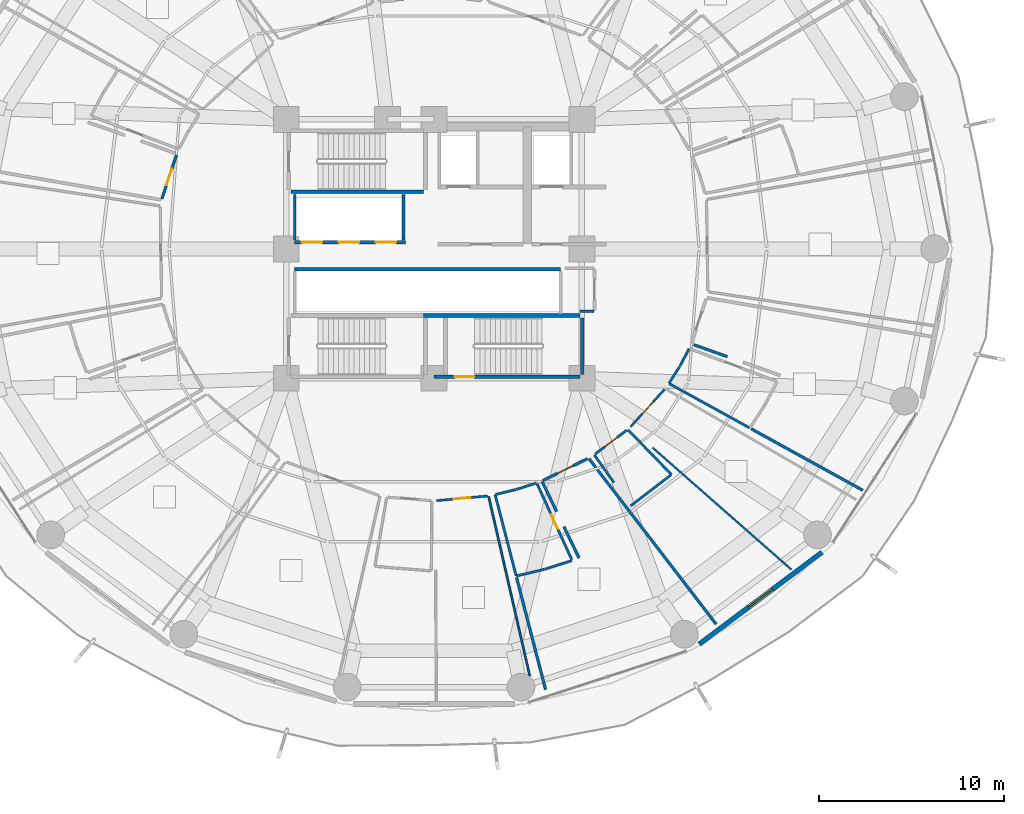
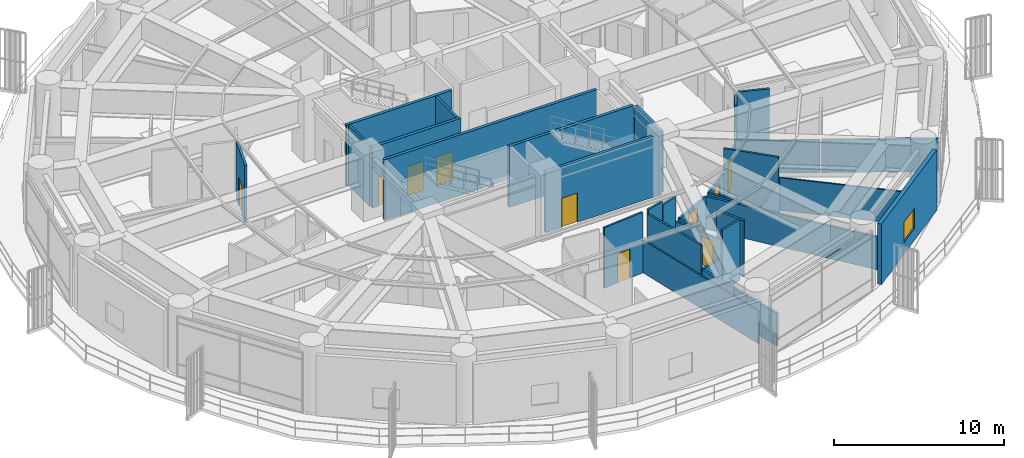
# One storey, part 22 of 31: 35 walls, 10 doors, 1 window, 11 openings.
"""IFC4 building model written with IfcOpenShell, lengths in metres."""

from ifc_helpers import new_model, si_unit, direction, frame, frame_2d, origin, place, context, subcontext, project, spatial, rectangle, extrude, material, layer, layer_set, type_object, element, fill, save


model = new_model("IFC4")

# Units and contexts
model_context = context("Model", 3, precision=1e-05, world=origin(), true_north=direction((0.0, 1.0)))
body_context = subcontext(model_context, "Body", "Model", "MODEL_VIEW")
ifc_project = project(units=[si_unit("LENGTHUNIT", "METRE"), si_unit("AREAUNIT", "SQUARE_METRE"), si_unit("VOLUMEUNIT", "CUBIC_METRE"), si_unit("PLANEANGLEUNIT", "RADIAN"), si_unit("MASSUNIT", "GRAM", prefix="KILO")], contexts=[model_context])

# Site, building, storey
site_placement = place(None, origin())
site = spatial("IfcSite", under=ifc_project, at=site_placement, CompositionType="ELEMENT")
building_placement = place(site_placement, origin())
building = spatial("IfcBuilding", under=site, at=building_placement, Name="Kelanora Arch Commons", CompositionType="ELEMENT")
storey_placement = place(building_placement, frame((0.0, 0.0, 67.5)))
storey = spatial("IfcBuildingStorey", under=building, at=storey_placement, Name="L17", CompositionType="ELEMENT", Elevation=67.5)

# Walls
ifc_material_1 = material(Name="Autoclaved aerated concrete blockwork with fire plaster", Category="masonry")
ifc_layer_1 = layer(ifc_material_1, 0.14990234375)
ifc_layer_set_1 = layer_set([ifc_layer_1], Name="Autoclaved aerated concrete blockwork with fire plaster")
wall_type_1 = type_object("IfcWallType", Name="W-COMP-150", PredefinedType="PARTITIONING", material=ifc_layer_set_1)
for number, where, z_axis, x_axis, name in (
    (1, (66.4599609375, 58.47998046875, 0.0), (0.0, 0.0, 1.0), (0.0, 1.0, 0.0), "Low-Rise Lift Bank West Wall L17"),
    (2, (72.340087890625, 58.47998046875, 0.0), (0.0, 0.0, 1.0), (0.0, 1.0, 0.0), "Low-Rise Lift Bank East Wall L17"),
):
    element("IfcWall", number, at=place(storey_placement, frame(where, z_axis=z_axis, x_axis=x_axis)), inside=storey, type_object=wall_type_1, Name=name, PredefinedType="PARTITIONING", context=body_context, shape_type="SweptSolid", body=[
        extrude(rectangle(XDim=2.4599609375, YDim=0.14990234375, at=frame_2d((1.22998046875, 0.0))), origin(), (0.0, 0.0, 1.0), 4.35009765625),
    ])

# Wall, opening, door
wall_1_placement = place(storey_placement, frame((60.062255859375, 63.0849609375, 0.0), z_axis=(0.0, 0.0, 1.0), x_axis=(-0.313977919329, -0.949430285052, 0.0)))
wall_1 = element("IfcWall", 3, at=wall_1_placement, inside=storey, type_object=wall_type_1, Name="Co-Living Studio L17-07 Entry Partition", PredefinedType="PARTITIONING", context=body_context, shape_type="SweptSolid", body=[
    extrude(rectangle(XDim=2.507568359375, YDim=0.14990234375, at=frame_2d((1.25390625, 0.0))), origin(), (0.0, 0.0, 1.0), 4.10498046875),
])
opening_1_placement = place(wall_1_placement, frame((0.779052734375, 0.0, 0.0)))
opening_1 = element("IfcOpeningElement", 4, at=opening_1_placement, cuts=wall_1, Name="Opening D-CLU1", PredefinedType="OPENING", context=body_context, shape_type="SweptSolid", body=[
    extrude(rectangle(XDim=0.949951171875, YDim=2.080078125, at=frame_2d((0.47509765625, 1.0400390625))), frame((0.0, 0.0849609375, 0.0), z_axis=(0.0, -1.0, 0.0), x_axis=(1.0, 0.0, 0.0)), (0.0, 0.0, 1.0), 0.169921875),
])
ifc_material_2 = material(Name="Solid-core acoustic timber cluster entry fire door", Category="wood")
door_type_1 = type_object("IfcDoorType", Name="D-CLU-95", OperationType="NOTDEFINED", PredefinedType="DOOR", material=ifc_material_2)
door_1_placement = place(opening_1_placement, origin())
door_1 = element("IfcDoor", 5, at=door_1_placement, inside=storey, type_object=door_type_1, Name="Co-Living Studio L17-07 Door", OperationType="SINGLE_SWING_RIGHT", OverallHeight=2.080078125, OverallWidth=0.949951171875, PredefinedType="DOOR", context=body_context, shape_type="SweptSolid", body=[
    extrude(rectangle(XDim=0.949951171875, YDim=2.080078125, at=frame_2d((0.47509765625, 1.0400390625))), frame((0.0, 0.02490234375, 0.0), z_axis=(0.0, -1.0, 0.0), x_axis=(1.0, 0.0, 0.0)), (0.0, 0.0, 1.0), 0.050048828125),
])
fill(opening_1, door_1)

wall_2_placement = place(storey_placement, frame((79.886962890625, 45.46435546875, 0.0), z_axis=(0.0, 0.0, 1.0), x_axis=(0.898361315254, 0.439257267733, 0.0)))
wall_2 = element("IfcWall", 6, at=wall_2_placement, inside=storey, type_object=wall_type_1, Name="Co-Living Studio L17-13 Entry Partition", PredefinedType="PARTITIONING", context=body_context, shape_type="SweptSolid", body=[
    extrude(rectangle(XDim=2.694091796875, YDim=0.14990234375, at=frame_2d((1.34716796875, 0.0))), origin(), (0.0, 0.0, 1.0), 2.344970703125),
])
opening_2_placement = place(wall_2_placement, frame((0.8720703125, 0.0, 0.0)))
opening_2 = element("IfcOpeningElement", 7, at=opening_2_placement, cuts=wall_2, Name="Opening D-CLU1", PredefinedType="OPENING", context=body_context, shape_type="SweptSolid", body=[
    extrude(rectangle(XDim=0.949951171875, YDim=2.080078125, at=frame_2d((0.47509765625, 1.0400390625))), frame((0.0, 0.0849609375, 0.0), z_axis=(0.0, -1.0, 0.0), x_axis=(1.0, 0.0, 0.0)), (0.0, 0.0, 1.0), 0.169921875),
])
door_2_placement = place(opening_2_placement, origin())
door_2 = element("IfcDoor", 8, at=door_2_placement, inside=storey, type_object=door_type_1, Name="Co-Living Studio L17-13 Door", OperationType="SINGLE_SWING_LEFT", OverallHeight=2.080078125, OverallWidth=0.949951171875, PredefinedType="DOOR", context=body_context, shape_type="SweptSolid", body=[
    extrude(rectangle(XDim=0.949951171875, YDim=2.080078125, at=frame_2d((0.47509765625, 1.0400390625))), frame((0.0, 0.02490234375, 0.0), z_axis=(0.0, -1.0, 0.0), x_axis=(1.0, 0.0, 0.0)), (0.0, 0.0, 1.0), 0.050048828125),
])
fill(opening_2, door_2)

# Walls
wall_3_placement = place(storey_placement, frame((81.89990234375, 54.6201171875, 0.0), z_axis=(0.0, 0.0, 1.0), x_axis=(1.0, 0.0, 0.0)))
element("IfcWall", 9, at=wall_3_placement, inside=storey, type_object=wall_type_1, Name="Core Housekeeping Store L17 Enclosure Partition 1", PredefinedType="PARTITIONING", context=body_context, shape_type="SweptSolid", body=[
    extrude(rectangle(XDim=0.739990234375, YDim=0.14990234375, at=frame_2d((0.3701171875, 0.0))), origin(), (0.0, 0.0, 1.0), 3.64501953125),
])
wall_4_placement = place(storey_placement, frame((82.385498046875, 46.642333984375, 0.0), z_axis=(0.0, 0.0, 1.0), x_axis=(0.6091849282, -0.793028198271, 0.0)))
element("IfcWall", 10, at=wall_4_placement, inside=storey, type_object=wall_type_1, Name="Co-Living Studio L17-13 Enclosure Partition 2", PredefinedType="PARTITIONING", context=body_context, shape_type="SweptSolid", body=[
    extrude(rectangle(XDim=11.2890625, YDim=0.14990234375, at=frame_2d((5.64453125, 0.0))), origin(), (0.0, 0.0, 1.0), 2.344970703125),
])
wall_5_placement = place(storey_placement, frame((80.031005859375, 34.15771484375, 0.0), z_axis=(0.0, 0.0, 1.0), x_axis=(-0.250271908055, 0.968175589466, 0.0)))
element("IfcWall", 11, at=wall_5_placement, inside=storey, type_object=wall_type_1, Name="Co-Living Studio L17-13 Enclosure Partition 5", PredefinedType="PARTITIONING", context=body_context, shape_type="SweptSolid", body=[
    extrude(rectangle(XDim=6.2607421875, YDim=0.14990234375, at=frame_2d((3.13037109375, 0.0))), origin(), (0.0, 0.0, 1.0), 2.344970703125),
])
wall_6_placement = place(storey_placement, frame((81.844482421875, 41.27392578125, 0.0), z_axis=(0.0, 0.0, 1.0), x_axis=(-0.43490172256, 0.900477924057, 0.0)))
element("IfcWall", 12, at=wall_6_placement, inside=storey, type_object=wall_type_1, Name="Co-Living Studio L17-13 Enclosure Partition 7", PredefinedType="PARTITIONING", context=body_context, shape_type="SweptSolid", body=[
    extrude(rectangle(XDim=1.87841796875, YDim=0.14990234375, at=frame_2d((0.939208984375, 0.0))), origin(), (0.0, 0.0, 1.0), 4.044921875),
])
wall_7_placement = place(storey_placement, frame((80.627197265625, 43.7939453125, 0.0), z_axis=(0.0, 0.0, 1.0), x_axis=(-0.434978422477, 0.900440876448, 0.0)))
element("IfcWall", 13, at=wall_7_placement, inside=storey, type_object=wall_type_1, Name="Co-Living Studio L17-13 Enclosure Partition 7", PredefinedType="PARTITIONING", context=body_context, shape_type="SweptSolid", body=[
    extrude(rectangle(XDim=1.785888671875, YDim=0.14990234375, at=frame_2d((0.89306640625, 0.0))), origin(), (0.0, 0.0, 1.0), 2.344970703125),
])
wall_8_placement = place(storey_placement, frame((97.193115234375, 44.938232421875, 0.0), z_axis=(0.0, 0.0, 1.0), x_axis=(-0.875868518132, 0.482549830531, 0.0)))
element("IfcWall", 14, at=wall_8_placement, inside=storey, type_object=wall_type_1, Name="Co-Living Studio L17-15 Enclosure Partition 5", PredefinedType="PARTITIONING", context=body_context, shape_type="SweptSolid", body=[
    extrude(rectangle(XDim=6.889404296875, YDim=0.14990234375, at=frame_2d((3.44482421875, 0.0))), origin(), (0.0, 0.0, 1.0), 2.344970703125),
])
wall_9_placement = place(storey_placement, frame((89.865478515625, 52.166748046875, 0.0), z_axis=(0.0, 0.0, 1.0), x_axis=(-0.942335197554, 0.334670547629, 0.0)))
element("IfcWall", 15, at=wall_9_placement, inside=storey, type_object=wall_type_1, Name="Co-Living Studio L17-15 Enclosure Partition 7", PredefinedType="PARTITIONING", context=body_context, shape_type="SweptSolid", body=[
    extrude(rectangle(XDim=1.931640625, YDim=0.14990234375, at=frame_2d((0.9658203125, 0.0))), origin(), (0.0, 0.0, 1.0), 4.10498046875),
])

# Wall, opening, window
ifc_material_3 = material(Name="Precast concrete C40/50 with terracotta rainscreen", Category="masonry")
ifc_layer_2 = layer(ifc_material_3, 0.260009765625)
ifc_layer_set_2 = layer_set([ifc_layer_2], Name="Precast concrete C40/50 with terracotta rainscreen")
wall_type_2 = type_object("IfcWallType", Name="W-EXT-TC", PredefinedType="SOLIDWALL", material=ifc_layer_set_2)
wall_10_placement = place(storey_placement, frame((88.348876953125, 36.61083984375, 0.0), z_axis=(0.0, 0.0, 1.0), x_axis=(0.80030733173, 0.599590005569, 0.0)))
wall_10 = element("IfcWall", 16, at=wall_10_placement, inside=storey, type_object=wall_type_2, Name="Terracotta Exterior Wall L17-B15", PredefinedType="SOLIDWALL", context=body_context, shape_type="SweptSolid", body=[
    extrude(rectangle(XDim=8.29052734375, YDim=0.260009765625, at=frame_2d((4.145263671875, 0.0))), origin(), (0.0, 0.0, 1.0), 4.344970703125),
])
opening_3_placement = place(wall_10_placement, frame((3.344970703125, 0.0, 0.85009765625)))
opening_3 = element("IfcOpeningElement", 17, at=opening_3_placement, cuts=wall_10, Name="Opening WN-01", PredefinedType="OPENING", context=body_context, shape_type="SweptSolid", body=[
    extrude(rectangle(XDim=1.60009765625, YDim=1.449951171875, at=frame_2d((0.800048828125, 0.72509765625))), frame((0.0, 0.14013671875, 0.0), z_axis=(0.0, -1.0, 0.0), x_axis=(1.0, 0.0, 0.0)), (0.0, 0.0, 1.0), 0.280029296875),
])
ifc_material_4 = material(Name="Terracotta-anodised aluminium frame with operable low-E glazing", Category="masonry")
window_type = type_object("IfcWindowType", Name="WIN-CL-18", PartitioningType="DOUBLE_PANEL_VERTICAL", PredefinedType="WINDOW", material=ifc_material_4)
window_placement = place(opening_3_placement, origin())
window = element("IfcWindow", 18, at=window_placement, inside=storey, type_object=window_type, Name="Co-Living Operable Window L17-B15", OverallHeight=1.449951171875, OverallWidth=1.60009765625, PartitioningType="SINGLE_PANEL", PredefinedType="WINDOW", context=body_context, shape_type="SweptSolid", body=[
    extrude(rectangle(XDim=1.60009765625, YDim=1.449951171875, at=frame_2d((0.800048828125, 0.72509765625))), frame((0.0, 0.030029296875, 0.0), z_axis=(0.0, -1.0, 0.0), x_axis=(1.0, 0.0, 0.0)), (0.0, 0.0, 1.0), 0.06005859375),
])
fill(opening_3, window)

# Wall, openings, doors
ifc_material_5 = material(Name="Concrete C40/50", Category="concrete")
ifc_layer_3 = layer(ifc_material_5, 0.199951171875)
ifc_layer_set_3 = layer_set([ifc_layer_3], Name="Concrete C40/50")
wall_type_3 = type_object("IfcWallType", Name="W-FFL-200", PredefinedType="SOLIDWALL", material=ifc_layer_set_3)
wall_11_placement = place(storey_placement, frame((66.449951171875, 58.35009765625, 0.0), z_axis=(0.0, 0.0, 1.0), x_axis=(1.0, 0.0, 0.0)))
wall_11 = element("IfcWall", 19, at=wall_11_placement, inside=storey, type_object=wall_type_3, Name="Low-Rise Passenger Lift Shaft Front L17", PredefinedType="SOLIDWALL", context=body_context, shape_type="SweptSolid", body=[
    extrude(rectangle(XDim=6.0, YDim=0.199951171875, at=frame_2d((3.0, 0.0))), origin(), (0.0, 0.0, 1.0), 4.35009765625),
])
opening_4_placement = place(wall_11_placement, frame((0.39990234375, 0.0, 0.0)))
opening_4 = element("IfcOpeningElement", 20, at=opening_4_placement, cuts=wall_11, Name="Opening LD-01", PredefinedType="OPENING", context=body_context, shape_type="SweptSolid", body=[
    extrude(rectangle(XDim=1.10009765625, YDim=2.10009765625, at=frame_2d((0.550048828125, 1.050048828125))), frame((0.0, 0.10986328125, 0.0), z_axis=(0.0, -1.0, 0.0), x_axis=(1.0, 0.0, 0.0)), (0.0, 0.0, 1.0), 0.219970703125),
])
opening_5_placement = place(wall_11_placement, frame((2.39990234375, 0.0, 0.0)))
opening_5 = element("IfcOpeningElement", 21, at=opening_5_placement, cuts=wall_11, Name="Opening LD-01", PredefinedType="OPENING", context=body_context, shape_type="SweptSolid", body=[
    extrude(rectangle(XDim=1.10009765625, YDim=2.10009765625, at=frame_2d((0.550048828125, 1.050048828125))), frame((0.0, 0.10986328125, 0.0), z_axis=(0.0, -1.0, 0.0), x_axis=(1.0, 0.0, 0.0)), (0.0, 0.0, 1.0), 0.219970703125),
])
opening_6_placement = place(wall_11_placement, frame((4.39990234375, 0.0, 0.0)))
opening_6 = element("IfcOpeningElement", 22, at=opening_6_placement, cuts=wall_11, Name="Opening LD-01", PredefinedType="OPENING", context=body_context, shape_type="SweptSolid", body=[
    extrude(rectangle(XDim=1.10009765625, YDim=2.10009765625, at=frame_2d((0.550048828125, 1.050048828125))), frame((0.0, 0.10986328125, 0.0), z_axis=(0.0, -1.0, 0.0), x_axis=(1.0, 0.0, 0.0)), (0.0, 0.0, 1.0), 0.219970703125),
])
ifc_material_6 = material(Name="Stainless steel passenger lift sliding landing door", Category="steel")
door_type_2 = type_object("IfcDoorType", Name="D-LIFT-110", OperationType="NOTDEFINED", PredefinedType="DOOR", material=ifc_material_6)
door_3_placement = place(opening_4_placement, origin())
door_3 = element("IfcDoor", 23, at=door_3_placement, inside=storey, type_object=door_type_2, Name="Passenger Lift LF-P1 Landing Door L17", OperationType="DOUBLE_DOOR_SLIDING", OverallHeight=2.10009765625, OverallWidth=1.10009765625, PredefinedType="DOOR", context=body_context, shape_type="SweptSolid", body=[
    extrude(rectangle(XDim=1.10009765625, YDim=2.10009765625, at=frame_2d((0.550048828125, 1.050048828125))), frame((0.0, 0.02490234375, 0.0), z_axis=(0.0, -1.0, 0.0), x_axis=(1.0, 0.0, 0.0)), (0.0, 0.0, 1.0), 0.050048828125),
])
fill(opening_4, door_3)
door_4_placement = place(opening_5_placement, origin())
door_4 = element("IfcDoor", 24, at=door_4_placement, inside=storey, type_object=door_type_2, Name="Passenger Lift LF-P2 Landing Door L17", OperationType="DOUBLE_DOOR_SLIDING", OverallHeight=2.10009765625, OverallWidth=1.10009765625, PredefinedType="DOOR", context=body_context, shape_type="SweptSolid", body=[
    extrude(rectangle(XDim=1.10009765625, YDim=2.10009765625, at=frame_2d((0.550048828125, 1.050048828125))), frame((0.0, 0.02490234375, 0.0), z_axis=(0.0, -1.0, 0.0), x_axis=(1.0, 0.0, 0.0)), (0.0, 0.0, 1.0), 0.050048828125),
])
fill(opening_5, door_4)
door_5_placement = place(opening_6_placement, origin())
door_5 = element("IfcDoor", 25, at=door_5_placement, inside=storey, type_object=door_type_2, Name="Passenger Lift LF-P3 Landing Door L17", OperationType="DOUBLE_DOOR_SLIDING", OverallHeight=2.10009765625, OverallWidth=1.10009765625, PredefinedType="DOOR", context=body_context, shape_type="SweptSolid", body=[
    extrude(rectangle(XDim=1.10009765625, YDim=2.10009765625, at=frame_2d((0.550048828125, 1.050048828125))), frame((0.0, 0.02490234375, 0.0), z_axis=(0.0, -1.0, 0.0), x_axis=(1.0, 0.0, 0.0)), (0.0, 0.0, 1.0), 0.050048828125),
])
fill(opening_6, door_5)

# Walls
wall_12_placement = place(storey_placement, frame((66.449951171875, 56.89990234375, 0.0), z_axis=(0.0, 0.0, 1.0), x_axis=(1.0, 0.0, 0.0)))
element("IfcWall", 26, at=wall_12_placement, inside=storey, type_object=wall_type_3, Name="Mid/High/Express Lift Shaft Front L17", PredefinedType="SOLIDWALL", context=body_context, shape_type="SweptSolid", body=[
    extrude(rectangle(XDim=14.400146484375, YDim=0.199951171875, at=frame_2d((7.2001953125, 0.0))), origin(), (0.0, 0.0, 1.0), 4.35009765625),
])
ifc_material_7 = material(Name="Lightweight fire-rated acoustic stud partition")
ifc_layer_4 = layer(ifc_material_7, 0.10009765625)
ifc_layer_set_4 = layer_set([ifc_layer_4], Name="Lightweight fire-rated acoustic stud partition")
wall_type_4 = type_object("IfcWallType", Name="W-PART-100", PredefinedType="PARTITIONING", material=ifc_layer_set_4)
wall_13_placement = place(storey_placement, frame((76.953857421875, 44.594970703125, 0.0), z_axis=(0.0, 0.0, 1.0), x_axis=(0.223551012649, -0.97469223078, 0.0)))
element("IfcWall", 27, at=wall_13_placement, inside=storey, type_object=wall_type_4, Name="Quiet Reading Carrel L17-12 Enclosure Partition 2", PredefinedType="PARTITIONING", context=body_context, shape_type="SweptSolid", body=[
    extrude(rectangle(XDim=9.948974609375, YDim=0.10009765625, at=frame_2d((4.974609375, 0.0))), origin(), (0.0, 0.0, 1.0), 2.344970703125),
])
wall_14_placement = place(storey_placement, frame((93.327880859375, 40.6513671875, 0.0), z_axis=(0.0, 0.0, 1.0), x_axis=(-0.751420724703, 0.659823381282, 0.0)))
element("IfcWall", 28, at=wall_14_placement, inside=storey, type_object=wall_type_4, Name="Tutorial Study Alcove L17-14 Enclosure Partition 4", PredefinedType="PARTITIONING", context=body_context, shape_type="SweptSolid", body=[
    extrude(rectangle(XDim=9.992431640625, YDim=0.10009765625, at=frame_2d((4.99609375, 0.0))), origin(), (0.0, 0.0, 1.0), 2.344970703125),
])

# Wall, opening, door
ifc_material_8 = material(Name="Acoustic twin-stud fire-rated gypsum partition")
ifc_layer_5 = layer(ifc_material_8, 0.1201171875)
ifc_layer_set_5 = layer_set([ifc_layer_5], Name="Acoustic twin-stud fire-rated gypsum partition")
wall_type_5 = type_object("IfcWallType", Name="W-PART-120", PredefinedType="PARTITIONING", material=ifc_layer_set_5)
wall_15_placement = place(storey_placement, frame((74.126708984375, 44.37548828125, 0.0), z_axis=(0.0, 0.0, 1.0), x_axis=(0.995822834643, 0.091306527718, 0.0)))
wall_15 = element("IfcWall", 29, at=wall_15_placement, inside=storey, type_object=wall_type_5, Name="Quiet Reading Carrel L17-12 Entry Partition", PredefinedType="PARTITIONING", context=body_context, shape_type="SweptSolid", body=[
    extrude(rectangle(XDim=2.77001953125, YDim=0.1201171875, at=frame_2d((1.385009765625, 0.0))), origin(), (0.0, 0.0, 1.0), 4.35009765625),
])
opening_7_placement = place(wall_15_placement, frame((0.93505859375, 0.0, 0.0)))
opening_7 = element("IfcOpeningElement", 30, at=opening_7_placement, cuts=wall_15, Name="Opening D-RM1", PredefinedType="OPENING", context=body_context, shape_type="SweptSolid", body=[
    extrude(rectangle(XDim=0.89990234375, YDim=2.080078125, at=frame_2d((0.449951171875, 1.0400390625))), frame((0.0, 0.070068359375, 0.0), z_axis=(0.0, -1.0, 0.0), x_axis=(1.0, 0.0, 0.0)), (0.0, 0.0, 1.0), 0.14013671875),
])
ifc_material_9 = material(Name="Acoustic fire-rated timber study and lounge door", Category="wood")
door_type_3 = type_object("IfcDoorType", Name="D-ROOM-90", OperationType="NOTDEFINED", PredefinedType="DOOR", material=ifc_material_9)
door_6_placement = place(opening_7_placement, origin())
door_6 = element("IfcDoor", 31, at=door_6_placement, inside=storey, type_object=door_type_3, Name="Quiet Reading Carrel L17-12 Door", OperationType="SINGLE_SWING_LEFT", OverallHeight=2.080078125, OverallWidth=0.89990234375, PredefinedType="DOOR", context=body_context, shape_type="SweptSolid", body=[
    extrude(rectangle(XDim=0.89990234375, YDim=2.080078125, at=frame_2d((0.449951171875, 1.0400390625))), frame((0.0, 0.02490234375, 0.0), z_axis=(0.0, -1.0, 0.0), x_axis=(1.0, 0.0, 0.0)), (0.0, 0.0, 1.0), 0.050048828125),
])
fill(opening_7, door_6)

wall_16_placement = place(storey_placement, frame((84.62841796875, 48.370361328125, 0.0), z_axis=(0.0, 0.0, 1.0), x_axis=(0.672036212067, 0.740518284495, 0.0)))
wall_16 = element("IfcWall", 32, at=wall_16_placement, inside=storey, type_object=wall_type_5, Name="Tutorial Study Alcove L17-14 Entry Partition", PredefinedType="PARTITIONING", context=body_context, shape_type="SweptSolid", body=[
    extrude(rectangle(XDim=2.730712890625, YDim=0.1201171875, at=frame_2d((1.365234375, 0.0))), origin(), (0.0, 0.0, 1.0), 2.344970703125),
])
opening_8_placement = place(wall_16_placement, frame((0.9150390625, 0.0, 0.0)))
opening_8 = element("IfcOpeningElement", 33, at=opening_8_placement, cuts=wall_16, Name="Opening D-RM1", PredefinedType="OPENING", context=body_context, shape_type="SweptSolid", body=[
    extrude(rectangle(XDim=0.89990234375, YDim=2.080078125, at=frame_2d((0.449951171875, 1.0400390625))), frame((0.0, 0.070068359375, 0.0), z_axis=(0.0, -1.0, 0.0), x_axis=(1.0, 0.0, 0.0)), (0.0, 0.0, 1.0), 0.14013671875),
])
door_7_placement = place(opening_8_placement, origin())
door_7 = element("IfcDoor", 34, at=door_7_placement, inside=storey, type_object=door_type_3, Name="Tutorial Study Alcove L17-14 Door", OperationType="SINGLE_SWING_LEFT", OverallHeight=2.080078125, OverallWidth=0.89990234375, PredefinedType="DOOR", context=body_context, shape_type="SweptSolid", body=[
    extrude(rectangle(XDim=0.89990234375, YDim=2.080078125, at=frame_2d((0.449951171875, 1.0400390625))), frame((0.0, 0.02490234375, 0.0), z_axis=(0.0, -1.0, 0.0), x_axis=(1.0, 0.0, 0.0)), (0.0, 0.0, 1.0), 0.050048828125),
])
fill(opening_8, door_7)

# Wall
ifc_layer_6 = layer(ifc_material_5, 0.199951171875)
ifc_layer_set_6 = layer_set([ifc_layer_6], Name="Concrete C40/50")
wall_type_6 = type_object("IfcWallType", Name="W-STAIR-200", PredefinedType="SHEAR", material=ifc_layer_set_6)
wall_17_placement = place(storey_placement, frame((66.260009765625, 61.080078125, 0.0), z_axis=(0.0, 0.0, 1.0), x_axis=(1.0, 0.0, 0.0)))
element("IfcWall", 35, at=wall_17_placement, inside=storey, type_object=wall_type_6, Name="Stair ST-T1 Shaft Wall S L17", PredefinedType="SHEAR", context=body_context, shape_type="SweptSolid", body=[
    extrude(rectangle(XDim=7.159912109375, YDim=0.199951171875, at=frame_2d((3.580078125, 0.0))), origin(), (0.0, 0.0, 1.0), 4.360107421875),
])

# Wall, opening, door
wall_18_placement = place(storey_placement, frame((74.0, 51.080078125, 0.0), z_axis=(0.0, 0.0, 1.0), x_axis=(1.0, 0.0, 0.0)))
wall_18 = element("IfcWall", 36, at=wall_18_placement, inside=storey, type_object=wall_type_6, Name="Stair ST-T2 Shaft Wall S L17", PredefinedType="SHEAR", context=body_context, shape_type="SweptSolid", body=[
    extrude(rectangle(XDim=7.89990234375, YDim=0.199951171875, at=frame_2d((3.949951171875, 0.0))), origin(), (0.0, 0.0, 1.0), 4.360107421875),
])
opening_9_placement = place(wall_18_placement, frame((1.1201171875, 0.0, 0.0)))
opening_9 = element("IfcOpeningElement", 37, at=opening_9_placement, cuts=wall_18, Name="Opening D-ST1", PredefinedType="OPENING", context=body_context, shape_type="SweptSolid", body=[
    extrude(rectangle(XDim=1.050048828125, YDim=2.10009765625, at=frame_2d((0.52490234375, 1.050048828125))), frame((0.0, 0.10986328125, 0.0), z_axis=(0.0, -1.0, 0.0), x_axis=(1.0, 0.0, 0.0)), (0.0, 0.0, 1.0), 0.219970703125),
])
ifc_material_10 = material(Name="Steel fire-rated stairwell escape door", Category="steel")
door_type_4 = type_object("IfcDoorType", Name="D-STAIR-110", OperationType="NOTDEFINED", PredefinedType="DOOR", material=ifc_material_10)
door_8_placement = place(opening_9_placement, origin())
door_8 = element("IfcDoor", 38, at=door_8_placement, inside=storey, type_object=door_type_4, Name="Stair ST-T2 Escape Door L17", OperationType="SINGLE_SWING_LEFT", OverallHeight=2.10009765625, OverallWidth=1.050048828125, PredefinedType="DOOR", context=body_context, shape_type="SweptSolid", body=[
    extrude(rectangle(XDim=1.050048828125, YDim=2.10009765625, at=frame_2d((0.52490234375, 1.050048828125))), frame((0.0, 0.02490234375, 0.0), z_axis=(0.0, -1.0, 0.0), x_axis=(1.0, 0.0, 0.0)), (0.0, 0.0, 1.0), 0.050048828125),
])
fill(opening_9, door_8)

# Walls
wall_19_placement = place(storey_placement, frame((82.02001953125, 51.199951171875, 0.0), z_axis=(0.0, 0.0, 1.0), x_axis=(0.0, 1.0, 0.0)))
element("IfcWall", 39, at=wall_19_placement, inside=storey, type_object=wall_type_6, Name="Stair ST-T2 Shaft Wall E L17", PredefinedType="SHEAR", context=body_context, shape_type="SweptSolid", body=[
    extrude(rectangle(XDim=3.070068359375, YDim=0.199951171875, at=frame_2d((1.53515625, 0.0))), origin(), (0.0, 0.0, 1.0), 4.360107421875),
])
wall_20_placement = place(storey_placement, frame((81.89990234375, 54.389892578125, 0.0), z_axis=(0.0, 0.0, 1.0), x_axis=(-1.0, 0.0, 0.0)))
element("IfcWall", 40, at=wall_20_placement, inside=storey, type_object=wall_type_6, Name="Stair ST-T2 Shaft Wall N L17", PredefinedType="SHEAR", context=body_context, shape_type="SweptSolid", body=[
    extrude(rectangle(XDim=8.4599609375, YDim=0.199951171875, at=frame_2d((4.22998046875, 0.0))), origin(), (0.0, 0.0, 1.0), 4.360107421875),
])

# Wall, opening, door
ifc_material_11 = material(Name="Moisture-resistant fire-rated cement-board plumbing wall")
ifc_layer_7 = layer(ifc_material_11, 0.1298828125)
ifc_layer_set_7 = layer_set([ifc_layer_7], Name="Moisture-resistant fire-rated cement-board plumbing wall")
wall_type_7 = type_object("IfcWallType", Name="W-WET-120", PredefinedType="PLUMBINGWALL", material=ifc_layer_set_7)
wall_21_placement = place(storey_placement, frame((79.577880859375, 45.280517578125, 0.0), z_axis=(0.0, 0.0, 1.0), x_axis=(0.415569799266, -0.909561290919, 0.0)))
wall_21 = element("IfcWall", 41, at=wall_21_placement, inside=storey, type_object=wall_type_7, Name="En-Suite Shower WC L17-13 Entry Partition", PredefinedType="PLUMBINGWALL", context=body_context, shape_type="SweptSolid", body=[
    extrude(rectangle(XDim=4.495361328125, YDim=0.1298828125, at=frame_2d((2.24755859375, 0.0))), origin(), (0.0, 0.0, 1.0), 2.344970703125),
])
opening_10_placement = place(wall_21_placement, frame((1.818115234375, 0.0, 0.0)))
opening_10 = element("IfcOpeningElement", 42, at=opening_10_placement, cuts=wall_21, Name="Opening D-BT1", PredefinedType="OPENING", context=body_context, shape_type="SweptSolid", body=[
    extrude(rectangle(XDim=0.860107421875, YDim=2.050048828125, at=frame_2d((0.43017578125, 1.02490234375))), frame((0.0, 0.074951171875, 0.0), z_axis=(0.0, -1.0, 0.0), x_axis=(1.0, 0.0, 0.0)), (0.0, 0.0, 1.0), 0.14990234375),
])
ifc_material_12 = material(Name="Moisture-sealed fire-rated accessible bathroom door")
door_type_5 = type_object("IfcDoorType", Name="D-BATH-85", OperationType="NOTDEFINED", PredefinedType="DOOR", material=ifc_material_12)
door_9_placement = place(opening_10_placement, origin())
door_9 = element("IfcDoor", 43, at=door_9_placement, inside=storey, type_object=door_type_5, Name="En-Suite Shower WC L17-13 Door", OperationType="SINGLE_SWING_RIGHT", OverallHeight=2.050048828125, OverallWidth=0.860107421875, PredefinedType="DOOR", context=body_context, shape_type="SweptSolid", body=[
    extrude(rectangle(XDim=0.860107421875, YDim=2.050048828125, at=frame_2d((0.43017578125, 1.02490234375))), frame((0.0, 0.02490234375, 0.0), z_axis=(0.0, -1.0, 0.0), x_axis=(1.0, 0.0, 0.0)), (0.0, 0.0, 1.0), 0.050048828125),
])
fill(opening_10, door_9)

wall_22_placement = place(storey_placement, frame((82.7119140625, 46.898193359375, 0.0), z_axis=(0.0, 0.0, 1.0), x_axis=(0.798783982359, 0.601617943155, 0.0)))
wall_22 = element("IfcWall", 44, at=wall_22_placement, inside=storey, type_object=wall_type_7, Name="Accessible Shared Floor WC L17-14 Entry Partition", PredefinedType="PLUMBINGWALL", context=body_context, shape_type="SweptSolid", body=[
    extrude(rectangle(XDim=2.147216796875, YDim=0.1298828125, at=frame_2d((1.07373046875, 0.0))), origin(), (0.0, 0.0, 1.0), 2.344970703125),
])
opening_11_placement = place(wall_22_placement, frame((0.64404296875, 0.0, 0.0)))
opening_11 = element("IfcOpeningElement", 45, at=opening_11_placement, cuts=wall_22, Name="Opening D-BT1", PredefinedType="OPENING", context=body_context, shape_type="SweptSolid", body=[
    extrude(rectangle(XDim=0.860107421875, YDim=2.050048828125, at=frame_2d((0.43017578125, 1.02490234375))), frame((0.0, 0.074951171875, 0.0), z_axis=(0.0, -1.0, 0.0), x_axis=(1.0, 0.0, 0.0)), (0.0, 0.0, 1.0), 0.14990234375),
])
door_10_placement = place(opening_11_placement, origin())
door_10 = element("IfcDoor", 46, at=door_10_placement, inside=storey, type_object=door_type_5, Name="Accessible Shared Floor WC L17-14 Door", OperationType="SINGLE_SWING_RIGHT", OverallHeight=2.050048828125, OverallWidth=0.860107421875, PredefinedType="DOOR", context=body_context, shape_type="SweptSolid", body=[
    extrude(rectangle(XDim=0.860107421875, YDim=2.050048828125, at=frame_2d((0.43017578125, 1.02490234375))), frame((0.0, 0.02490234375, 0.0), z_axis=(0.0, -1.0, 0.0), x_axis=(1.0, 0.0, 0.0)), (0.0, 0.0, 1.0), 0.050048828125),
])
fill(opening_11, door_10)

# Walls
wall_23_placement = place(storey_placement, frame((77.323486328125, 44.707763671875, 0.0), z_axis=(0.0, 0.0, 1.0), x_axis=(0.971820142712, 0.235723588592, 0.0)))
element("IfcWall", 47, at=wall_23_placement, inside=storey, type_object=wall_type_7, Name="En-Suite Shower WC L17-13 Enclosure Partition 1", PredefinedType="PLUMBINGWALL", context=body_context, shape_type="SweptSolid", body=[
    extrude(rectangle(XDim=1.131103515625, YDim=0.1298828125, at=frame_2d((0.5654296875, 0.0))), origin(), (0.0, 0.0, 1.0), 4.35009765625),
])
wall_24_placement = place(storey_placement, frame((78.4609375, 44.985107421875, 0.0), z_axis=(0.0, 0.0, 1.0), x_axis=(0.952323458584, 0.305090200156, 0.0)))
element("IfcWall", 48, at=wall_24_placement, inside=storey, type_object=wall_type_7, Name="En-Suite Shower WC L17-13 Enclosure Partition 2", PredefinedType="PLUMBINGWALL", context=body_context, shape_type="SweptSolid", body=[
    extrude(rectangle(XDim=1.126708984375, YDim=0.1298828125, at=frame_2d((0.5634765625, 0.0))), origin(), (0.0, 0.0, 1.0), 4.10498046875),
])
wall_25_placement = place(storey_placement, frame((81.451904296875, 41.131103515625, 0.0), z_axis=(0.0, 0.0, 1.0), x_axis=(-0.953367513064, -0.301811837134, 0.0)))
element("IfcWall", 49, at=wall_25_placement, inside=storey, type_object=wall_type_7, Name="En-Suite Shower WC L17-13 Enclosure Partition 4", PredefinedType="PLUMBINGWALL", context=body_context, shape_type="SweptSolid", body=[
    extrude(rectangle(XDim=1.528076171875, YDim=0.1298828125, at=frame_2d((0.76416015625, 0.0))), origin(), (0.0, 0.0, 1.0), 4.35009765625),
])
wall_26_placement = place(storey_placement, frame((79.95654296875, 40.6591796875, 0.0), z_axis=(0.0, 0.0, 1.0), x_axis=(-0.972491193781, -0.232939644584, 0.0)))
element("IfcWall", 50, at=wall_26_placement, inside=storey, type_object=wall_type_7, Name="En-Suite Shower WC L17-13 Enclosure Partition 5", PredefinedType="PLUMBINGWALL", context=body_context, shape_type="SweptSolid", body=[
    extrude(rectangle(XDim=1.534423828125, YDim=0.1298828125, at=frame_2d((0.76708984375, 0.0))), origin(), (0.0, 0.0, 1.0), 2.344970703125),
])
wall_27_placement = place(storey_placement, frame((78.43994140625, 40.31640625, 0.0), z_axis=(0.0, 0.0, 1.0), x_axis=(-0.250676669558, 0.968070868965, 0.0)))
element("IfcWall", 51, at=wall_27_placement, inside=storey, type_object=wall_type_7, Name="En-Suite Shower WC L17-13 Enclosure Partition 6", PredefinedType="PLUMBINGWALL", context=body_context, shape_type="SweptSolid", body=[
    extrude(rectangle(XDim=4.51123046875, YDim=0.1298828125, at=frame_2d((2.255615234375, 0.0))), origin(), (0.0, 0.0, 1.0), 4.044921875),
])
wall_28_placement = place(storey_placement, frame((84.489013671875, 48.211669921875, 0.0), z_axis=(0.0, 0.0, 1.0), x_axis=(0.697008873448, -0.717062500996, 0.0)))
element("IfcWall", 52, at=wall_28_placement, inside=storey, type_object=wall_type_7, Name="Accessible Shared Floor WC L17-14 Enclosure Partition 2", PredefinedType="PLUMBINGWALL", context=body_context, shape_type="SweptSolid", body=[
    extrude(rectangle(XDim=3.360107421875, YDim=0.1298828125, at=frame_2d((1.68017578125, 0.0))), origin(), (0.0, 0.0, 1.0), 4.10498046875),
])
wall_29_placement = place(storey_placement, frame((86.8291015625, 45.77587890625, 0.0), z_axis=(0.0, 0.0, 1.0), x_axis=(-0.793379880103, -0.608726840092, 0.0)))
element("IfcWall", 53, at=wall_29_placement, inside=storey, type_object=wall_type_7, Name="Accessible Shared Floor WC L17-14 Enclosure Partition 3", PredefinedType="PLUMBINGWALL", context=body_context, shape_type="SweptSolid", body=[
    extrude(rectangle(XDim=2.75927734375, YDim=0.1298828125, at=frame_2d((1.379638671875, 0.0))), origin(), (0.0, 0.0, 1.0), 2.344970703125),
])
wall_30_placement = place(storey_placement, frame((83.72607421875, 45.356689453125, 0.0), z_axis=(0.0, 0.0, 1.0), x_axis=(-0.576488563642, 0.817105217209, 0.0)))
element("IfcWall", 54, at=wall_30_placement, inside=storey, type_object=wall_type_7, Name="Accessible Shared Floor WC L17-14 Enclosure Partition 4", PredefinedType="PLUMBINGWALL", context=body_context, shape_type="SweptSolid", body=[
    extrude(rectangle(XDim=1.822265625, YDim=0.1298828125, at=frame_2d((0.9111328125, 0.0))), origin(), (0.0, 0.0, 1.0), 2.344970703125),
])
wall_31_placement = place(storey_placement, frame((86.71484375, 50.73388671875, 0.0), z_axis=(0.0, 0.0, 1.0), x_axis=(0.53816125517, 0.842841897057, 0.0)))
element("IfcWall", 55, at=wall_31_placement, inside=storey, type_object=wall_type_7, Name="En-Suite Shower WC L17-15 Enclosure Partition 1", PredefinedType="PLUMBINGWALL", context=body_context, shape_type="SweptSolid", body=[
    extrude(rectangle(XDim=1.05615234375, YDim=0.1298828125, at=frame_2d((0.528076171875, 0.0))), origin(), (0.0, 0.0, 1.0), 2.344970703125),
])
wall_32_placement = place(storey_placement, frame((87.30322265625, 51.65869140625, 0.0), z_axis=(0.0, 0.0, 1.0), x_axis=(0.467001016817, 0.884256778482, 0.0)))
element("IfcWall", 56, at=wall_32_placement, inside=storey, type_object=wall_type_7, Name="En-Suite Shower WC L17-15 Enclosure Partition 2", PredefinedType="PLUMBINGWALL", context=body_context, shape_type="SweptSolid", body=[
    extrude(rectangle(XDim=1.05029296875, YDim=0.1298828125, at=frame_2d((0.525146484375, 0.0))), origin(), (0.0, 0.0, 1.0), 4.10498046875),
])
wall_33_placement = place(storey_placement, frame((91.072509765625, 48.3125, 0.0), z_axis=(0.0, 0.0, 1.0), x_axis=(-0.87605188001, 0.48221686359, 0.0)))
element("IfcWall", 57, at=wall_33_placement, inside=storey, type_object=wall_type_7, Name="En-Suite Shower WC L17-15 Enclosure Partition 6", PredefinedType="PLUMBINGWALL", context=body_context, shape_type="SweptSolid", body=[
    extrude(rectangle(XDim=4.966796875, YDim=0.1298828125, at=frame_2d((2.4833984375, 0.0))), origin(), (0.0, 0.0, 1.0), 2.344970703125),
])

save(model, "model.ifc")
